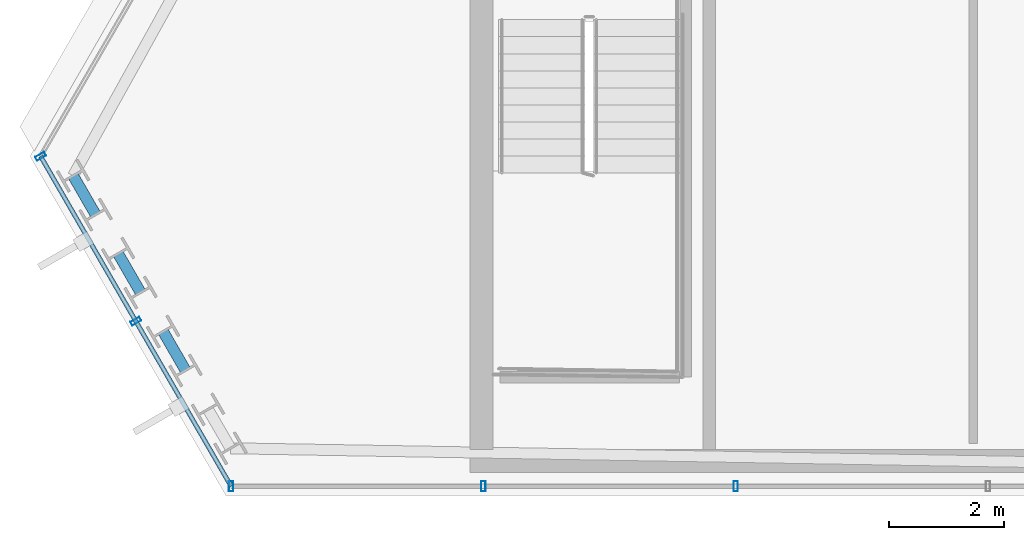
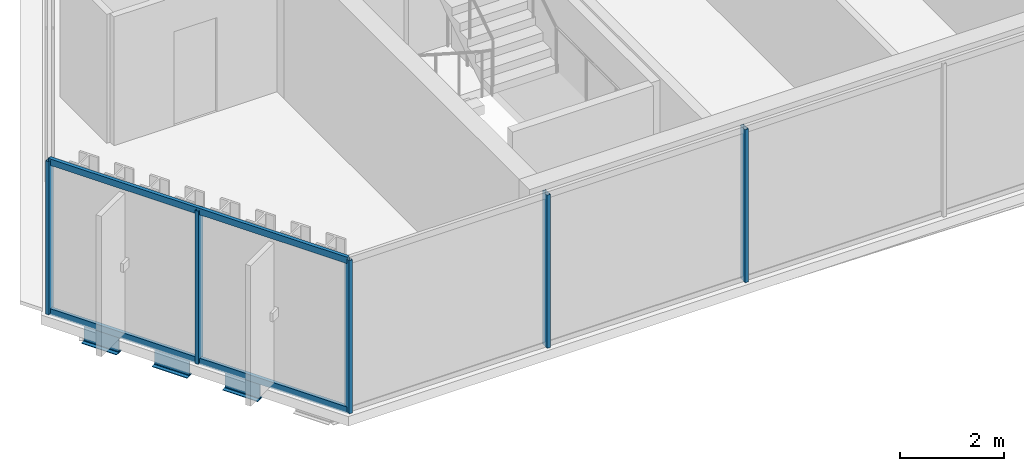
# One storey, part 2 of 29: 7 members, 3 beams, 2 elements without a shape of their own.
"""IFC4 building model written with IfcOpenShell, lengths in metres."""

from ifc_helpers import new_model, si_unit, direction, frame, origin, origin_2d, place, context, subcontext, project, spatial, hollow_rectangle, i_section, extrude, material, layer, layer_set, material_profile, profile_set, type_object, element, aggregate, save


model = new_model("IFC4")

# Units and contexts
model_context = context("Model", 3, precision=1e-05, world=origin(), true_north=direction((0.0, 1.0)))
body_context = subcontext(model_context, "Body", "Model", "MODEL_VIEW")
ifc_project = project(units=[si_unit("LENGTHUNIT", "METRE"), si_unit("AREAUNIT", "SQUARE_METRE"), si_unit("VOLUMEUNIT", "CUBIC_METRE"), si_unit("PLANEANGLEUNIT", "RADIAN"), si_unit("MASSUNIT", "GRAM", prefix="KILO")], contexts=[model_context])

# Site, building, storey
site_placement = place(None, origin())
site = spatial("IfcSite", under=ifc_project, at=site_placement, CompositionType="ELEMENT")
building_placement = place(site_placement, origin())
building = spatial("IfcBuilding", under=site, at=building_placement, Name="Ndaravel Arena Tower", CompositionType="ELEMENT")
storey_placement = place(building_placement, frame((0.0, 0.0, 240.800048828125)))
storey = spatial("IfcBuildingStorey", under=building, at=storey_placement, Name="L58", CompositionType="ELEMENT", Elevation=240.800048828125)

# Beams
ifc_material_1 = material(Name="Steel S355", Category="steel")
ifc_material_profile_1 = material_profile(ifc_material_1, i_section(OverallWidth=0.18994140625, OverallDepth=0.449951171875, WebThickness=0.009521484375, FlangeThickness=0.0146484375, FilletRadius=0.02099609375, at=origin_2d()), Name="IPE 450")
ifc_profile_set_1 = profile_set([ifc_material_profile_1], Name="Steel S355")
beam_type = type_object("IfcBeamType", Name="BM-SPAN-IPE450", PredefinedType="SPANDREL", material=ifc_profile_set_1)
for number, where, z_axis, x_axis, name in (
    (1, (19.56884765625, 10.54443359375, -0.445068359375), (0.500011542666, -0.866018739521, 0.0), (0.866018739521, 0.500011542666, 0.0), "L58 Perimeter Spandrel Beam SP-20"),
    (2, (20.348388671875, 9.19384765625, -0.445068359375), (0.500011542666, -0.866018739521, 0.0), (0.866018739521, 0.500011542666, 0.0), "L58 Perimeter Spandrel Beam SP-22"),
    (3, (21.128173828125, 7.843505859375, -0.445068359375), (0.500011542666, -0.866018739521, 0.0), (0.866018739521, 0.500011542666, 0.0), "L58 Perimeter Spandrel Beam SP-24"),
):
    element("IfcBeam", number, at=place(storey_placement, frame(where, z_axis=z_axis, x_axis=x_axis)), inside=storey, type_object=beam_type, Name=name, PredefinedType="SPANDREL", context=body_context, shape_type="SweptSolid", body=[
        extrude(i_section(OverallWidth=0.18994140625, OverallDepth=0.449951171875, WebThickness=0.009521484375, FlangeThickness=0.0146484375, FilletRadius=0.02099609375, at=origin_2d()), origin(), (0.0, 0.0, 1.0), 0.77978515625),
    ])

# Curtain wall, members
ifc_material_2 = material(Name="Aluminium", Category="aluminium")
ifc_layer_1 = layer(ifc_material_2, 0.179931640625)
ifc_layer_set_1 = layer_set([ifc_layer_1], Name="Aluminium")
curtain_wall_type_1 = type_object("IfcCurtainWallType", Name="CW-SYS-03", PredefinedType="NOTDEFINED", material=ifc_layer_set_1)
curtain_wall_1_placement = place(storey_placement, origin())
curtain_wall_1 = element("IfcCurtainWall", 4, at=curtain_wall_1_placement, inside=storey, type_object=curtain_wall_type_1, Name="L58 Faceted Crystal Curtain Wall CW-L58-E01", PredefinedType="NOTDEFINED")
ifc_material_3 = material(Name="Aluminium", Category="aluminium")
ifc_material_profile_2 = material_profile(ifc_material_3, hollow_rectangle(XDim=0.074951171875, YDim=0.179931640625, WallThickness=0.00390625, at=origin_2d()), Name="CW MULLION 75x180x4")
ifc_profile_set_2 = profile_set([ifc_material_profile_2], Name="Aluminium")
member_type_1 = type_object("IfcMemberType", Name="MEM-CW-MUL180", PredefinedType="MULLION", material=ifc_profile_set_2)
member_1_placement = place(storey_placement, frame((22.30810546875, 5.159912109375, 0.0), z_axis=(0.0, 0.0, 1.0), x_axis=(1.0, 0.0, 0.0)))
member_1 = element("IfcMember", 5, at=member_1_placement, type_object=member_type_1, Name="CW-L58-E01 Mullion 00", PredefinedType="MULLION", context=body_context, shape_type="SweptSolid", body=[
    extrude(hollow_rectangle(XDim=0.074951171875, YDim=0.179931640625, WallThickness=0.00390625, at=origin_2d()), origin(), (0.0, 0.0, 1.0), 3.579833984375),
])
member_2_placement = place(storey_placement, frame((26.68408203125, 5.159912109375, 0.0), z_axis=(0.0, 0.0, 1.0), x_axis=(1.0, 0.0, 0.0)))
member_2 = element("IfcMember", 6, at=member_2_placement, type_object=member_type_1, Name="CW-L58-E01 Mullion 01", PredefinedType="MULLION", context=body_context, shape_type="SweptSolid", body=[
    extrude(hollow_rectangle(XDim=0.074951171875, YDim=0.179931640625, WallThickness=0.00390625, at=origin_2d()), origin(), (0.0, 0.0, 1.0), 3.579833984375),
])
member_3_placement = place(storey_placement, frame((31.06005859375, 5.159912109375, 0.0), z_axis=(0.0, 0.0, 1.0), x_axis=(1.0, 0.0, 0.0)))
member_3 = element("IfcMember", 7, at=member_3_placement, type_object=member_type_1, Name="CW-L58-E01 Mullion 02", PredefinedType="MULLION", context=body_context, shape_type="SweptSolid", body=[
    extrude(hollow_rectangle(XDim=0.074951171875, YDim=0.179931640625, WallThickness=0.00390625, at=origin_2d()), origin(), (0.0, 0.0, 1.0), 3.579833984375),
])
aggregate(curtain_wall_1, [member_1, member_2, member_3])

ifc_material_4 = material(Name="Aluminium", Category="aluminium")
ifc_layer_2 = layer(ifc_material_4, 0.179931640625)
ifc_layer_set_2 = layer_set([ifc_layer_2], Name="Aluminium")
curtain_wall_type_2 = type_object("IfcCurtainWallType", Name="CW-SYS-02", PredefinedType="NOTDEFINED", material=ifc_layer_set_2)
curtain_wall_2_placement = place(storey_placement, origin())
curtain_wall_2 = element("IfcCurtainWall", 8, at=curtain_wall_2_placement, inside=storey, type_object=curtain_wall_type_2, Name="L58 Faceted Crystal Curtain Wall CW-L58-E06", PredefinedType="NOTDEFINED")
member_4_placement = place(storey_placement, frame((19.00439453125, 10.882080078125, 0.0), z_axis=(0.0, 0.0, 1.0), x_axis=(0.5, -0.866025403784, 0.0)))
member_4 = element("IfcMember", 9, at=member_4_placement, type_object=member_type_1, Name="CW-L58-E06 Mullion 00", PredefinedType="MULLION", context=body_context, shape_type="SweptSolid", body=[
    extrude(hollow_rectangle(XDim=0.074951171875, YDim=0.179931640625, WallThickness=0.00390625, at=origin_2d()), origin(), (0.0, 0.0, 1.0), 3.579833984375),
])
member_5_placement = place(storey_placement, frame((20.65625, 8.02099609375, 0.0), z_axis=(0.0, 0.0, 1.0), x_axis=(0.5, -0.866025403784, 0.0)))
member_5 = element("IfcMember", 10, at=member_5_placement, type_object=member_type_1, Name="CW-L58-E06 Mullion 01", PredefinedType="MULLION", context=body_context, shape_type="SweptSolid", body=[
    extrude(hollow_rectangle(XDim=0.074951171875, YDim=0.179931640625, WallThickness=0.00390625, at=origin_2d()), origin(), (0.0, 0.0, 1.0), 3.579833984375),
])
ifc_material_5 = material(Name="Aluminium", Category="aluminium")
ifc_material_profile_3 = material_profile(ifc_material_5, hollow_rectangle(XDim=0.074951171875, YDim=0.14990234375, WallThickness=0.00390625, at=origin_2d()), Name="CW TRANSOM 75x150x4")
ifc_profile_set_3 = profile_set([ifc_material_profile_3], Name="Aluminium")
member_type_2 = type_object("IfcMemberType", Name="MEM-CW-TRN150", PredefinedType="USERDEFINED", material=ifc_profile_set_3)
member_6_placement = place(storey_placement, frame((19.00439453125, 10.882080078125, 0.0400390625), z_axis=(0.500001784407, -0.866024373554, 0.0), x_axis=(0.866024373554, 0.500001784407, 0.0)))
member_6 = element("IfcMember", 11, at=member_6_placement, type_object=member_type_2, Name="CW-L58-E06 Transom 01", ObjectType="TRANSOM", PredefinedType="USERDEFINED", context=body_context, shape_type="SweptSolid", body=[
    extrude(hollow_rectangle(XDim=0.074951171875, YDim=0.14990234375, WallThickness=0.00390625, at=origin_2d()), origin(), (0.0, 0.0, 1.0), 6.607421875),
])
member_7_placement = place(storey_placement, frame((19.00439453125, 10.882080078125, 3.5400390625), z_axis=(0.500001784407, -0.866024373554, 0.0), x_axis=(0.866024373554, 0.500001784407, 0.0)))
member_7 = element("IfcMember", 12, at=member_7_placement, type_object=member_type_2, Name="CW-L58-E06 Transom 02", ObjectType="TRANSOM", PredefinedType="USERDEFINED", context=body_context, shape_type="SweptSolid", body=[
    extrude(hollow_rectangle(XDim=0.074951171875, YDim=0.14990234375, WallThickness=0.00390625, at=origin_2d()), origin(), (0.0, 0.0, 1.0), 6.607421875),
])
aggregate(curtain_wall_2, [member_4, member_5, member_6, member_7])

save(model, "model.ifc")
